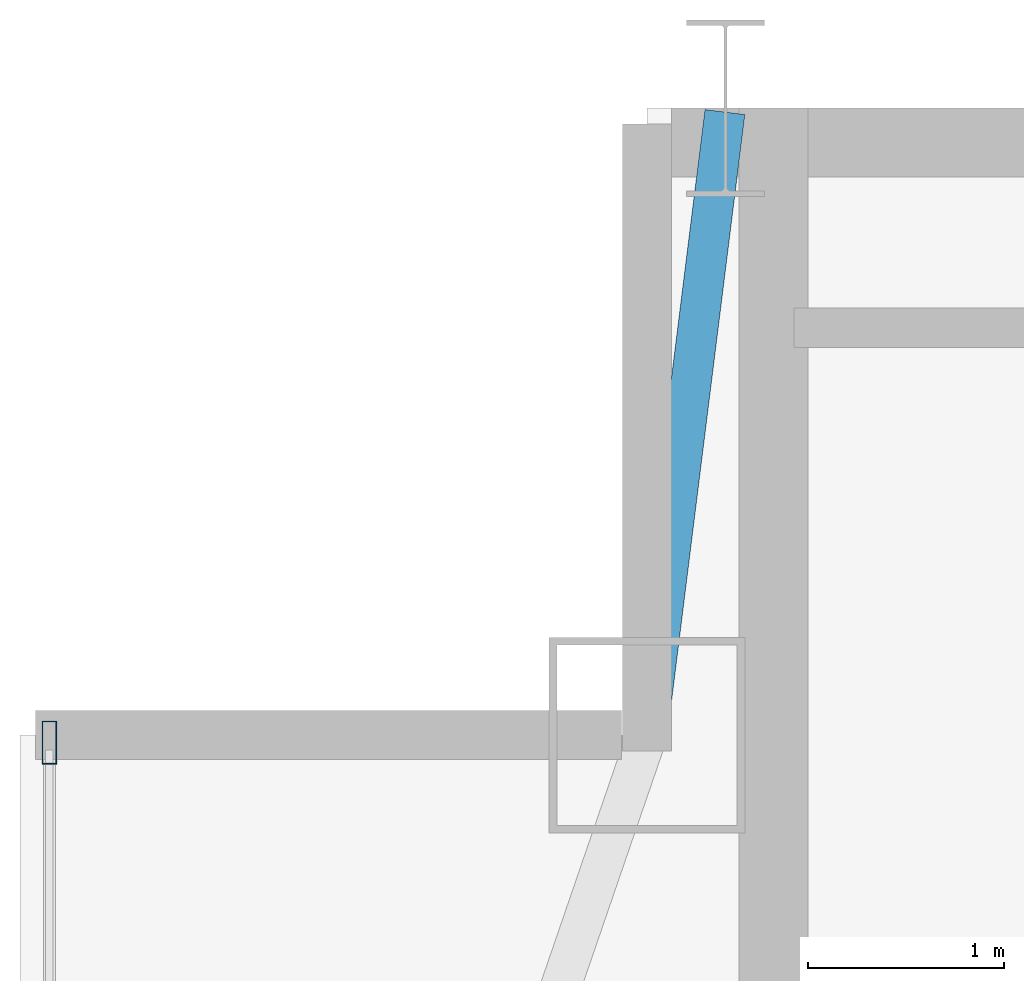
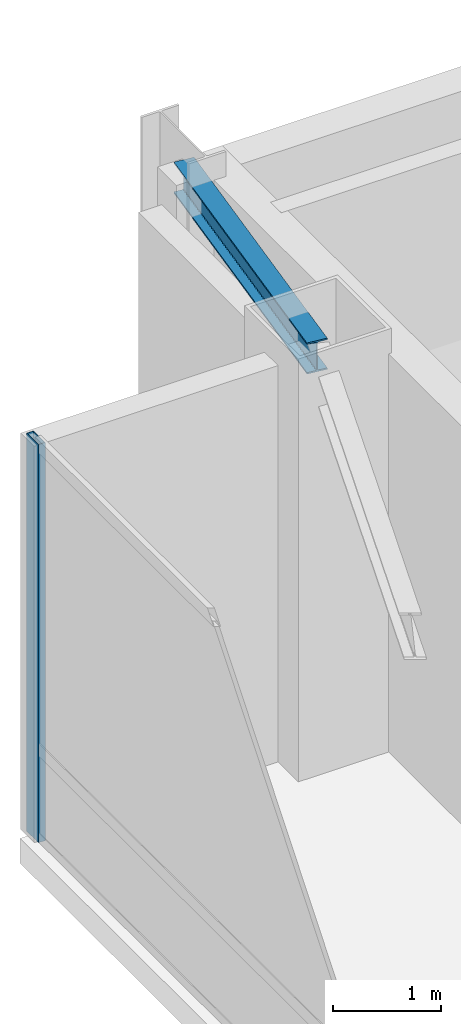
# One storey, part 15 of 22: 1 beam, 1 member, 1 element without a shape of its own.
"""IFC4 building model written with IfcOpenShell, lengths in metres."""

from ifc_helpers import new_model, si_unit, direction, frame, origin, origin_2d, place, context, subcontext, project, spatial, hollow_rectangle, i_section, extrude, source, transform, mapped, material, layer, layer_set, material_profile, profile_set, type_object, type_shapes, element, aggregate, save


model = new_model("IFC4")

# Units and contexts
model_context = context("Model", 3, precision=1e-05, world=origin(), true_north=direction((0.0, 1.0)))
body_context = subcontext(model_context, "Body", "Model", "MODEL_VIEW")
ifc_project = project(units=[si_unit("LENGTHUNIT", "METRE"), si_unit("AREAUNIT", "SQUARE_METRE"), si_unit("VOLUMEUNIT", "CUBIC_METRE"), si_unit("PLANEANGLEUNIT", "RADIAN"), si_unit("MASSUNIT", "GRAM", prefix="KILO")], contexts=[model_context])

# Site, building, storey
site_placement = place(None, origin())
site = spatial("IfcSite", under=ifc_project, at=site_placement, CompositionType="ELEMENT")
building_placement = place(site_placement, origin())
building = spatial("IfcBuilding", under=site, at=building_placement, Name="Varnel Quay Broadcast Tower", CompositionType="ELEMENT")
storey_placement = place(building_placement, frame((0.0, 0.0, 305.0)))
storey = spatial("IfcBuildingStorey", under=building, at=storey_placement, Name="L76", CompositionType="ELEMENT", Elevation=305.0)

# Beam
ifc_material_1 = material(Name="Structural Steel CSA G40.21 350W", Category="steel")
ifc_material_profile_1 = material_profile(ifc_material_1, i_section(OverallWidth=0.205078125, OverallDepth=0.35400390625, WebThickness=0.009521484375, FlangeThickness=0.016845703125, FilletRadius=0.012939453125, at=origin_2d()), Name="W360X79")
ifc_profile_set_1 = profile_set([ifc_material_profile_1], Name="Structural Steel CSA G40.21 350W")
beam_type = type_object("IfcBeamType", Name="Beam_W360X79", PredefinedType="SPANDREL", material=ifc_profile_set_1)
shared_shape_1 = source(origin(), body_context, "Body", "SweptSolid", [
    extrude(i_section(OverallWidth=0.205078125, OverallDepth=0.35400390625, WebThickness=0.009521484375, FlangeThickness=0.016845703125, FilletRadius=0.012939453125, at=origin_2d()), origin(), (0.0, 0.0, 1.0), 3.18505859375),
])
type_shapes(beam_type, [shared_shape_1])
beam_placement = place(storey_placement, frame((15.202392578125, 43.619873046875, 4.343017578125), z_axis=(0.124025300311, 0.992279055953, 0.0), x_axis=(-0.992279055953, 0.124025300311, 0.0)))
element("IfcBeam", 1, at=beam_placement, inside=storey, type_object=beam_type, Name="L76 NW Tie Spandrel", PredefinedType="SPANDREL", context=body_context, shape_type="MappedRepresentation", body=[
    mapped(shared_shape_1, transform((0.0, 0.0, 0.0), x_axis=(1.0, 0.0, 0.0), y_axis=(0.0, 1.0, 0.0), z_axis=(0.0, 0.0, 1.0), scale=1.0)),
])

# Curtain wall, member
ifc_material_2 = material(Name="Anodised Bronze Aluminium 6063-T6", Category="aluminium")
ifc_layer = layer(ifc_material_2, 0.18994140625, Name="Anodised Bronze Aluminium 6063-T6")
ifc_layer_set = layer_set([ifc_layer], Name="Anodised Bronze Aluminium 6063-T6")
curtain_wall_type = type_object("IfcCurtainWallType", Name="CW_SkyObsHighVis", PredefinedType="NOTDEFINED", material=ifc_layer_set)
curtain_wall_placement = place(storey_placement, origin())
curtain_wall = element("IfcCurtainWall", 2, at=curtain_wall_placement, inside=storey, type_object=curtain_wall_type, Name="L76 West Unitised Curtain Wall", PredefinedType="NOTDEFINED")
ifc_material_profile_2 = material_profile(ifc_material_2, hollow_rectangle(XDim=0.074951171875, YDim=0.219970703125, WallThickness=0.00390625, at=origin_2d()), Name="ALU75X220X4")
ifc_profile_set_2 = profile_set([ifc_material_profile_2], Name="Anodised Bronze Aluminium 6063-T6")
member_type = type_object("IfcMemberType", Name="Mull_CWS-05", PredefinedType="MULLION", material=ifc_profile_set_2)
shared_shape_2 = source(origin(), body_context, "Body", "SweptSolid", [
    extrude(hollow_rectangle(XDim=0.074951171875, YDim=0.219970703125, WallThickness=0.00390625, at=origin_2d()), origin(), (0.0, 0.0, 1.0), 4.52001953125),
])
type_shapes(member_type, [shared_shape_2])
member_placement = place(storey_placement, frame((12.14990234375, 43.5625, 0.0), z_axis=(0.0, 0.0, 1.0), x_axis=(-1.0, 0.0, 0.0)))
member = element("IfcMember", 3, at=member_placement, type_object=member_type, Name="CWS-05 mullion 4", PredefinedType="MULLION", context=body_context, shape_type="MappedRepresentation", body=[
    mapped(shared_shape_2, transform((0.0, 0.0, 0.0), x_axis=(1.0, 0.0, 0.0), y_axis=(0.0, 1.0, 0.0), z_axis=(0.0, 0.0, 1.0), scale=1.0)),
])
aggregate(curtain_wall, [member])

save(model, "model.ifc")
